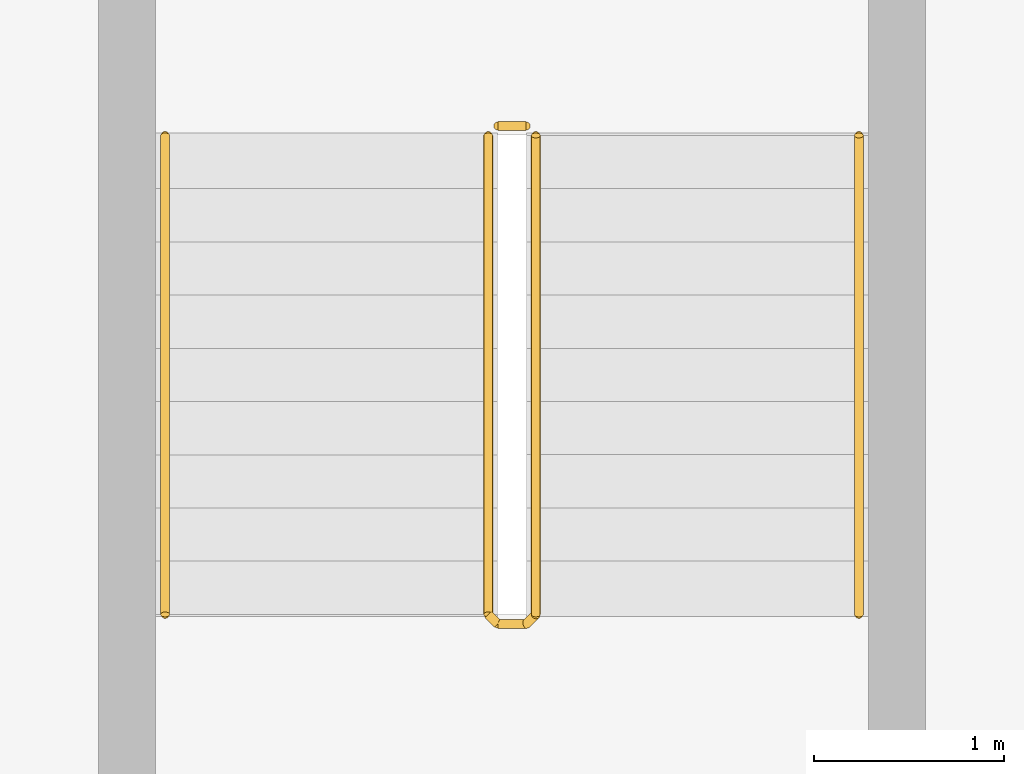
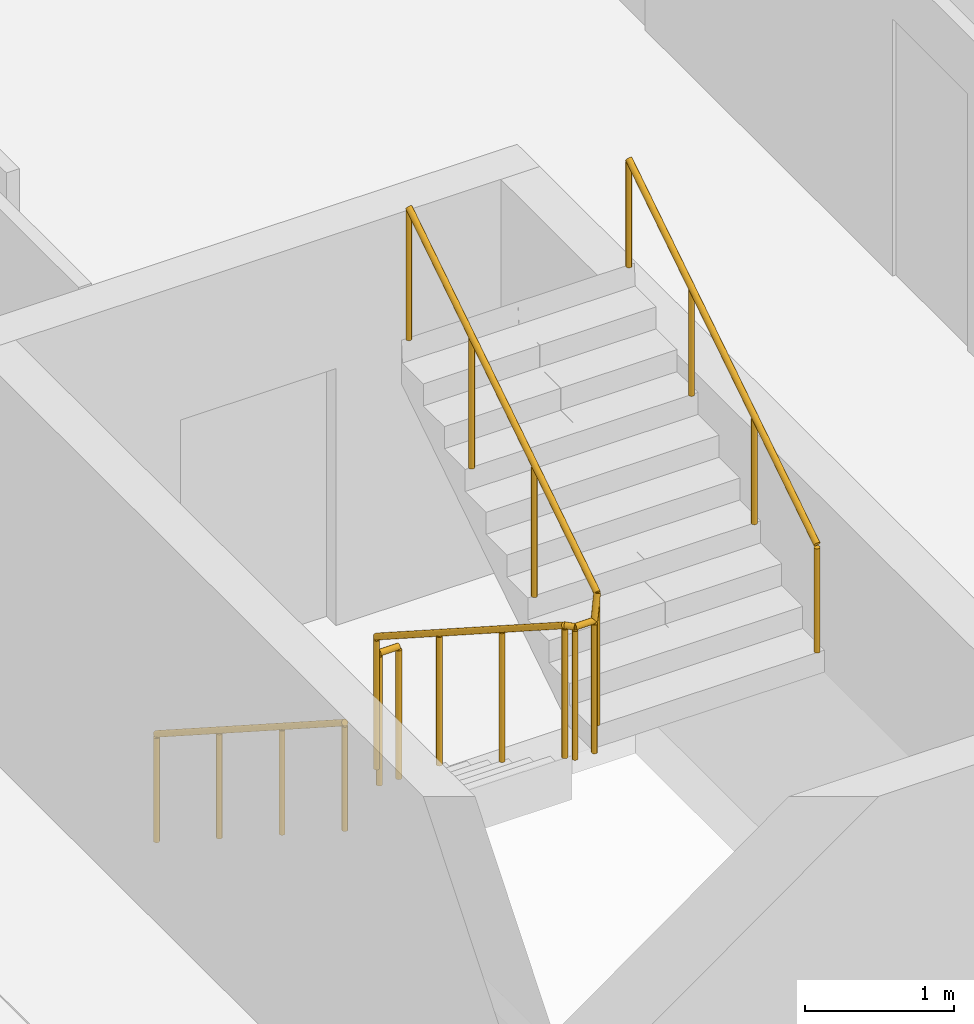
# One storey, part 25 of 27: 4 railings.
"""IFC4 building model written with IfcOpenShell, lengths in metres."""

import ifcopenshell
import ifcopenshell.guid

model = None  # the IFC model being written
_history = None  # IfcOwnerHistory: only IFC2X3 demands one
_inside = {}  # id of a spatial element -> (the spatial element, [elements in it])
_under = {}  # id of a project, library or spatial element -> (it, [spatial elements below it])
_declared = {}  # id of a project -> (the project, [libraries it declares])
_typed = {}  # id of a type object -> (the type object, [elements of that type])
_made_of = {}  # id of a material, layer set ... -> (it, [elements and type objects made of it])


def new_model(schema):
    """Start an empty IFC model of exactly this schema.

    Asked for "IFC4X3", IfcOpenShell would pick the latest addendum, in which some entities
    have other attributes; the version numbers below select the first issue.
    IFC2X3 requires an IfcOwnerHistory on every rooted entity: one is made here for all.
    """
    global model, _history
    if schema == "IFC4X3":
        model = ifcopenshell.file(schema_version=(4, 3, 0, 0))
    else:
        model = ifcopenshell.file(schema=schema)
    _inside.clear()
    _under.clear()
    _declared.clear()
    _typed.clear()
    _made_of.clear()
    _history = None
    if model.schema == "IFC2X3":
        org = make("IfcOrganization", Name="unknown")
        user = make(
            "IfcPersonAndOrganization",
            ThePerson=make("IfcPerson", FamilyName="unknown"),
            TheOrganization=org,
        )
        app = make(
            "IfcApplication",
            ApplicationDeveloper=org,
            Version="unknown",
            ApplicationFullName="unknown",
            ApplicationIdentifier="unknown",
        )
        _history = make(
            "IfcOwnerHistory",
            OwningUser=user,
            OwningApplication=app,
            ChangeAction="ADDED",
            CreationDate=0,
        )
    return model


def make(cls, **values):
    """One entity of the class cls with the attributes given. An attribute that is None is left unset."""
    return model.create_entity(
        cls, **{name: value for name, value in values.items() if value is not None}
    )


def rooted(cls, **values):
    """An entity with a GlobalId (a new one), such as an element, a storey or a relation."""
    return make(cls, GlobalId=ifcopenshell.guid.new(), OwnerHistory=_history, **values)


def si_unit(unit_type, name, prefix=None):
    """IfcSIUnit, for example si_unit("LENGTHUNIT", "METRE", prefix="MILLI")."""
    return make("IfcSIUnit", UnitType=unit_type, Prefix=prefix, Name=name)


def assignment(units):
    """IfcUnitAssignment: the units of a project."""
    return None if units is None else make("IfcUnitAssignment", Units=units)


def point(xyz):
    """IfcCartesianPoint."""
    return None if xyz is None else make("IfcCartesianPoint", Coordinates=xyz)


def direction(xyz):
    """IfcDirection."""
    return None if xyz is None else make("IfcDirection", DirectionRatios=xyz)


def frame(location, z_axis=None, x_axis=None):
    """IfcAxis2Placement3D, a coordinate frame: its origin and axes. An axis left out is left unset."""
    return make(
        "IfcAxis2Placement3D",
        Location=point(location),
        Axis=direction(z_axis),
        RefDirection=direction(x_axis),
    )


def frame_2d(location, x_axis=None):
    """IfcAxis2Placement2D, a coordinate frame in the plane: its origin and x axis."""
    return make(
        "IfcAxis2Placement2D", Location=point(location), RefDirection=direction(x_axis)
    )


def origin():
    """The frame at (0, 0, 0) with its axes left unset."""
    return frame((0.0, 0.0, 0.0))


def origin_2d():
    """The frame at (0, 0) in the plane with its x axis left unset."""
    return frame_2d((0.0, 0.0))


def place(relative_to, where):
    """IfcLocalPlacement: puts the frame where relative to a parent placement (None: the world)."""
    return make(
        "IfcLocalPlacement", PlacementRelTo=relative_to, RelativePlacement=where
    )


def context(
    kind, dimensions, precision=None, world=None, true_north=None, identifier=None
):
    """IfcGeometricRepresentationContext, for example the 3D "Model" context."""
    return make(
        "IfcGeometricRepresentationContext",
        ContextIdentifier=identifier,
        ContextType=kind,
        CoordinateSpaceDimension=dimensions,
        Precision=precision,
        WorldCoordinateSystem=world,
        TrueNorth=true_north,
    )


def subcontext(parent, identifier, kind, view, scale=None):
    """IfcGeometricRepresentationSubContext, for example "Body" below "Model"."""
    return make(
        "IfcGeometricRepresentationSubContext",
        ContextIdentifier=identifier,
        ContextType=kind,
        ParentContext=parent,
        TargetScale=scale,
        TargetView=view,
    )


def project(units=None, contexts=None):
    """IfcProject with its units and contexts."""
    return rooted(
        "IfcProject",
        Name="project",
        RepresentationContexts=contexts,
        UnitsInContext=assignment(units),
    )


def spatial(cls, under=None, at=None, **own):
    """A site, building, storey or space (cls), placed at a placement, below another one or the project."""
    s = rooted(cls, ObjectPlacement=at, **own)
    if under is not None:
        _under.setdefault(under.id(), (under, []))[1].append(s)
    return s


def profile(cls, at=None, kind="AREA", **sizes):
    """A parametric profile (cls). Its sizes go by their IFC names, for example OverallWidth=200.0."""
    return make(cls, ProfileType=kind, Position=at, **sizes)


def circle(**sizes):
    """IfcCircleProfileDef."""
    return profile("IfcCircleProfileDef", **sizes)


def extrude(swept, where, along, depth):
    """IfcExtrudedAreaSolid: the profile swept, set in the frame where, extruded along a direction by depth."""
    return make(
        "IfcExtrudedAreaSolid",
        SweptArea=swept,
        Position=where,
        ExtrudedDirection=direction(along),
        Depth=depth,
    )


def shape(context_of_items, identifier, shape_type, items):
    """IfcShapeRepresentation: the items that make up one representation, for example the "Body"."""
    return make(
        "IfcShapeRepresentation",
        ContextOfItems=context_of_items,
        RepresentationIdentifier=identifier,
        RepresentationType=shape_type,
        Items=items,
    )


def material(Name=None, Category=None):
    """IfcMaterial."""
    return make("IfcMaterial", Name=Name, Category=Category)


def made_of(thing, what):
    """Note that an element or type object is made of a material, layer set ...; save() writes the relation."""
    if what is not None:
        _made_of.setdefault(what.id(), (what, []))[1].append(thing)
    return thing


def type_object(cls, material=None, **own):
    """A type object (cls), such as IfcWallType, which elements share."""
    return made_of(rooted(cls, **own), material)


def element(
    cls,
    number,
    at=None,
    inside=None,
    cuts=None,
    type_object=None,
    material=None,
    context=None,
    identifier="Body",
    shape_type=None,
    held_by="IfcProductDefinitionShape",
    body=None,
    shapes=None,
    **own,
):
    """One element of the class cls, such as IfcWall. Its Tag is "e" and its number.

    at: its placement. inside: the storey or other place that contains it. cuts: it is an
    opening in that element (IfcRelVoidsElement). A single representation is given by context,
    identifier, shape_type and body (its items); several are given by shapes. held_by: the class
    of the entity that holds the representations. save() writes the other relations.
    """
    e = rooted(cls, Tag="e%d" % number, ObjectPlacement=at, **own)
    if body is not None:
        shapes = [shape(context, identifier, shape_type, body)]
    if shapes is not None:
        e.Representation = make(held_by, Representations=shapes)
    if inside is not None:
        _inside.setdefault(inside.id(), (inside, []))[1].append(e)
    if cuts is not None:
        rooted(
            "IfcRelVoidsElement", RelatingBuildingElement=cuts, RelatedOpeningElement=e
        )
    if type_object is not None:
        _typed.setdefault(type_object.id(), (type_object, []))[1].append(e)
    return made_of(e, material)


def aggregate(whole, parts):
    """IfcRelAggregates: a whole, such as a stair, and the parts it consists of."""
    return rooted("IfcRelAggregates", RelatingObject=whole, RelatedObjects=parts)


def save(model, path):
    """Write the relations noted so far, then the file.

    IfcRelAggregates (storeys below a building ...), IfcRelContainedInSpatialStructure (elements
    in a storey), IfcRelDefinesByType, IfcRelAssociatesMaterial and IfcRelDeclares: one each for
    every whole, place, type object, material and project.
    """
    for whole, parts in _under.values():
        aggregate(whole, parts)
    for where, things in _inside.values():
        rooted(
            "IfcRelContainedInSpatialStructure",
            RelatedElements=things,
            RelatingStructure=where,
        )
    for kind, things in _typed.values():
        rooted("IfcRelDefinesByType", RelatedObjects=things, RelatingType=kind)
    for what, things in _made_of.values():
        rooted("IfcRelAssociatesMaterial", RelatedObjects=things, RelatingMaterial=what)
    for by, libraries in _declared.values():
        rooted("IfcRelDeclares", RelatingContext=by, RelatedDefinitions=libraries)
    model.write(path)


model = new_model("IFC4")

# Units and contexts
model_context = context("Model", 3, precision=1e-05, world=origin(), true_north=direction((0.0, 1.0)))
body_context = subcontext(model_context, "Body", "Model", "MODEL_VIEW")
ifc_project = project(units=[si_unit("LENGTHUNIT", "METRE"), si_unit("AREAUNIT", "SQUARE_METRE"), si_unit("VOLUMEUNIT", "CUBIC_METRE"), si_unit("PLANEANGLEUNIT", "RADIAN"), si_unit("MASSUNIT", "GRAM", prefix="KILO")], contexts=[model_context])

# Site, building, storey
site_placement = place(None, origin())
site = spatial("IfcSite", under=ifc_project, at=site_placement, CompositionType="ELEMENT")
building_placement = place(site_placement, origin())
building = spatial("IfcBuilding", under=site, at=building_placement, Name="Wharfspan Tower", CompositionType="ELEMENT")
storey_placement = place(building_placement, frame((0.0, 0.0, 77.5)))
storey = spatial("IfcBuildingStorey", under=building, at=storey_placement, Name="L16", CompositionType="ELEMENT", Elevation=77.5)

# Railings
ifc_material = material(Name="Steel S355J2", Category="steel")
railing_type_1 = type_object("IfcRailingType", Name="Stair guard 1100", PredefinedType="GUARDRAIL", material=ifc_material)
railing_1_placement = place(storey_placement, frame((39.258301, 3.760498, 0.179932)))
element("IfcRailing", 1, at=railing_1_placement, inside=storey, type_object=railing_type_1, Name="L16 ST4 stair guard 1", PredefinedType="GUARDRAIL", context=body_context, shape_type="SweptSolid", body=[
    extrude(circle(Radius=0.023926, at=origin_2d()), frame((0.0, 0.0, 1.076172), z_axis=(0.0, -0.841139, 0.540819), x_axis=(1.0, 0.0, 0.0)), (0.0, 0.0, 1.0), 2.995605),
    extrude(circle(Radius=0.023926, at=origin_2d()), frame((0.0, -2.519775, 2.696289), z_axis=(0.707107, -0.707107, 0.0), x_axis=(0.707107, 0.707107, 0.0)), (0.0, 0.0, 1.0), 0.070801),
    extrude(circle(Radius=0.023926, at=origin_2d()), frame((0.050049, -2.569824, 2.696289), z_axis=(1.0, 0.0, 0.0), x_axis=(0.0, 1.0, 0.0)), (0.0, 0.0, 1.0), 0.149902),
    extrude(circle(Radius=0.023926, at=origin_2d()), frame((0.199951, -2.569824, 2.696289), z_axis=(0.258848, 0.258848, 0.930589), x_axis=(-0.707107, 0.707107, 0.0)), (0.0, 0.0, 1.0), 0.193359),
    extrude(circle(Radius=0.023926, at=origin_2d()), frame((0.25, -2.519775, 2.875977), z_axis=(0.0, 0.841139, 0.540819), x_axis=(-1.0, 0.0, 0.0)), (0.0, 0.0, 1.0), 2.995605),
    extrude(circle(Radius=0.020996, at=origin_2d()), origin(), (0.0, 0.0, 1.0), 1.052002),
    extrude(circle(Radius=0.020996, at=origin_2d()), frame((0.0, -0.839844, 0.540039)), (0.0, 0.0, 1.0), 1.052002),
    extrude(circle(Radius=0.020996, at=origin_2d()), frame((0.0, -1.679932, 1.080078)), (0.0, 0.0, 1.0), 1.052002),
    extrude(circle(Radius=0.020996, at=origin_2d()), frame((0.0, -2.519775, 1.620117)), (0.0, 0.0, 1.0), 1.052002),
    extrude(circle(Radius=0.020996, at=origin_2d()), frame((0.050049, -2.569824, 1.620117)), (0.0, 0.0, 1.0), 1.052002),
    extrude(circle(Radius=0.020996, at=origin_2d()), frame((0.199951, -2.569824, 1.620117)), (0.0, 0.0, 1.0), 1.052002),
    extrude(circle(Radius=0.020996, at=origin_2d()), frame((0.25, -2.519775, 1.800049)), (0.0, 0.0, 1.0), 1.052002),
    extrude(circle(Radius=0.020996, at=origin_2d()), frame((0.25, -1.679932, 2.340088)), (0.0, 0.0, 1.0), 1.052002),
    extrude(circle(Radius=0.020996, at=origin_2d()), frame((0.25, -0.839844, 2.880127)), (0.0, 0.0, 1.0), 1.052002),
    extrude(circle(Radius=0.020996, at=origin_2d()), frame((0.25, 0.0, 3.420166)), (0.0, 0.0, 1.0), 1.052002),
])
railing_2_placement = place(storey_placement, frame((39.30835, 3.810547, 0.0)))
element("IfcRailing", 2, at=railing_2_placement, inside=storey, type_object=railing_type_1, Name="L16 ST4 stair guard 2", PredefinedType="GUARDRAIL", context=body_context, shape_type="SweptSolid", body=[
    extrude(circle(Radius=0.023926, at=origin_2d()), frame((0.0, 0.0, 1.076172), z_axis=(1.0, 0.0, 0.0), x_axis=(0.0, 1.0, 0.0)), (0.0, 0.0, 1.0), 0.149902),
    extrude(circle(Radius=0.020996, at=origin_2d()), origin(), (0.0, 0.0, 1.0), 1.052002),
    extrude(circle(Radius=0.020996, at=origin_2d()), frame((0.149902, 0.0, 0.0)), (0.0, 0.0, 1.0), 1.052002),
])
railing_type_2 = type_object("IfcRailingType", Name="Stair handrail 900", PredefinedType="HANDRAIL", material=ifc_material)
railing_3_placement = place(storey_placement, frame((37.55835, 3.760498, 0.179932)))
element("IfcRailing", 3, at=railing_3_placement, inside=storey, type_object=railing_type_2, Name="L16 ST4 stair handrail 1", PredefinedType="HANDRAIL", context=body_context, shape_type="SweptSolid", body=[
    extrude(circle(Radius=0.023926, at=origin_2d()), frame((0.0, 0.0, 0.875977), z_axis=(0.0, -0.841139, 0.540819), x_axis=(1.0, 0.0, 0.0)), (0.0, 0.0, 1.0), 2.995605),
    extrude(circle(Radius=0.020996, at=origin_2d()), origin(), (0.0, 0.0, 1.0), 0.851807),
    extrude(circle(Radius=0.020996, at=origin_2d()), frame((0.0, -0.839844, 0.540039)), (0.0, 0.0, 1.0), 0.851807),
    extrude(circle(Radius=0.020996, at=origin_2d()), frame((0.0, -1.679932, 1.080078)), (0.0, 0.0, 1.0), 0.851807),
    extrude(circle(Radius=0.020996, at=origin_2d()), frame((0.0, -2.519775, 1.620117)), (0.0, 0.0, 1.0), 0.851807),
])
railing_4_placement = place(storey_placement, frame((41.208252, 1.240723, 1.97998)))
element("IfcRailing", 4, at=railing_4_placement, inside=storey, type_object=railing_type_2, Name="L16 ST4 stair handrail 2", PredefinedType="HANDRAIL", context=body_context, shape_type="SweptSolid", body=[
    extrude(circle(Radius=0.023926, at=origin_2d()), frame((0.0, 0.0, 0.875977), z_axis=(0.0, 0.841139, 0.540819), x_axis=(-1.0, 0.0, 0.0)), (0.0, 0.0, 1.0), 2.995605),
    extrude(circle(Radius=0.020996, at=origin_2d()), origin(), (0.0, 0.0, 1.0), 0.851807),
    extrude(circle(Radius=0.020996, at=origin_2d()), frame((0.0, 0.839844, 0.540039)), (0.0, 0.0, 1.0), 0.851807),
    extrude(circle(Radius=0.020996, at=origin_2d()), frame((0.0, 1.679932, 1.080078)), (0.0, 0.0, 1.0), 0.851807),
    extrude(circle(Radius=0.020996, at=origin_2d()), frame((0.0, 2.519775, 1.620117)), (0.0, 0.0, 1.0), 0.851807),
])

save(model, "model.ifc")
